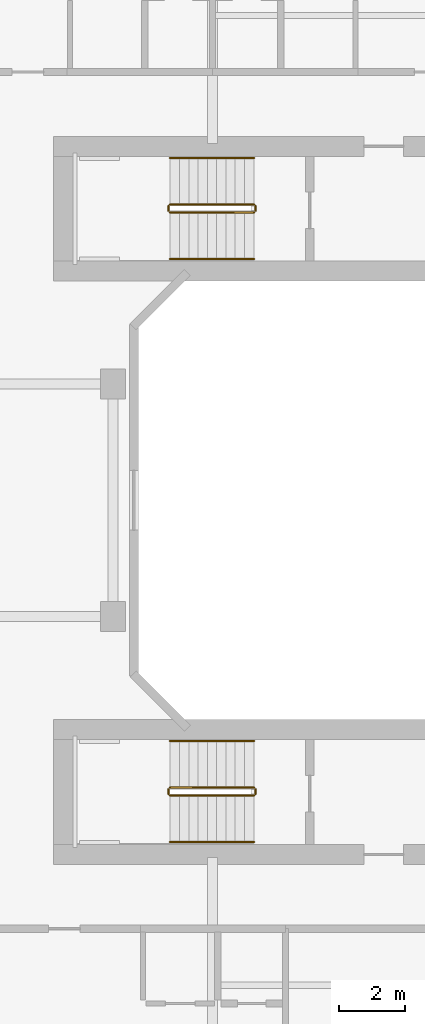
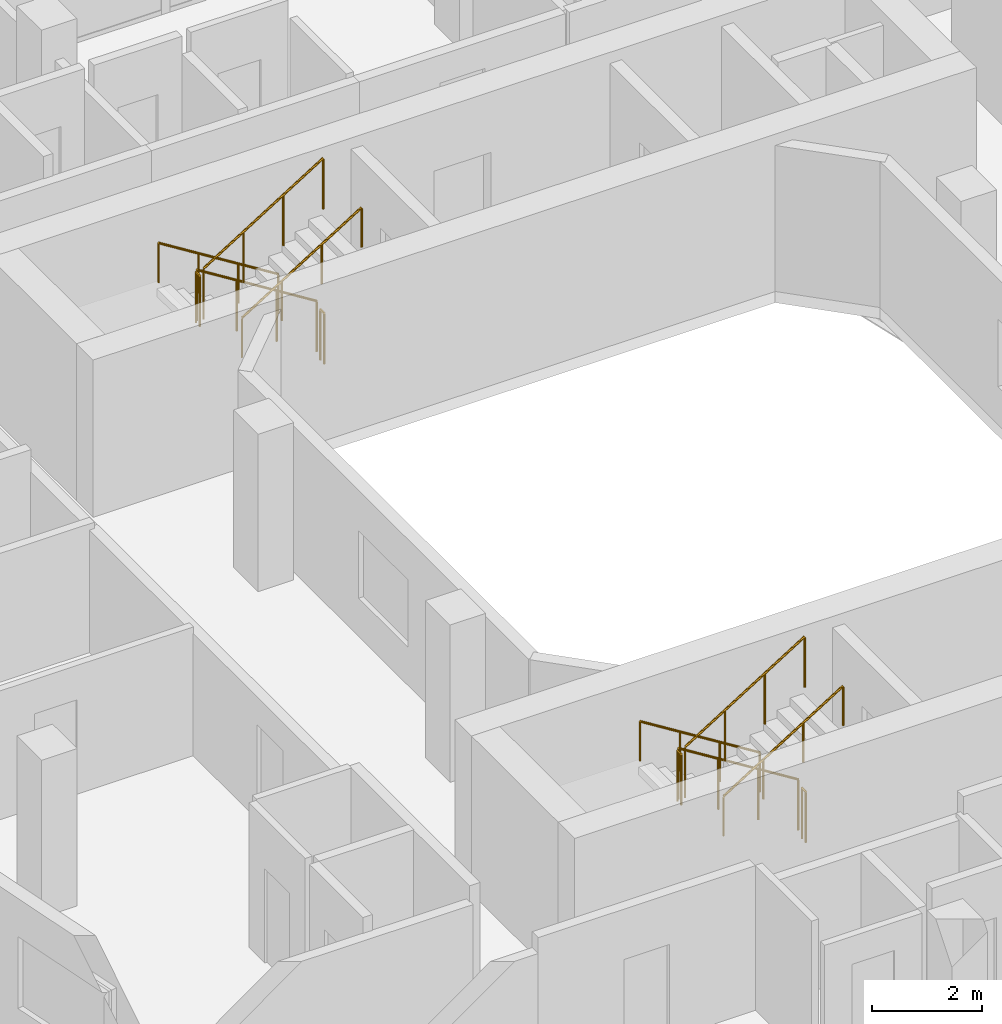
# One storey, part 27 of 27: 12 railings.
"""IFC4 building model written with IfcOpenShell, lengths in metres."""

from ifc_helpers import new_model, si_unit, derived_unit, direction, frame, origin, origin_2d, place, context, subcontext, project, spatial, circle, extrude, material, type_object, element, save


model = new_model("IFC4")

# Units and contexts
model_context = context("Model", 3, precision=1e-05, world=origin(), true_north=direction((0.0, 1.0)))
body_context = subcontext(model_context, "Body", "Model", "MODEL_VIEW")
ifc_project = project(units=[si_unit("LENGTHUNIT", "METRE"), si_unit("AREAUNIT", "SQUARE_METRE"), si_unit("VOLUMEUNIT", "CUBIC_METRE"), si_unit("PLANEANGLEUNIT", "RADIAN"), si_unit("MASSUNIT", "GRAM", prefix="KILO"), derived_unit("THERMALTRANSMITTANCEUNIT", [(si_unit("POWERUNIT", "WATT"), 1), (si_unit("LENGTHUNIT", "METRE"), -2), (si_unit("THERMODYNAMICTEMPERATUREUNIT", "KELVIN"), -1)])], contexts=[model_context])

# Site, building, storey
site_placement = place(None, origin())
site = spatial("IfcSite", under=ifc_project, at=site_placement, CompositionType="ELEMENT")
building_placement = place(site_placement, origin())
building = spatial("IfcBuilding", under=site, at=building_placement, Name="Kivonza Crest Hotel", CompositionType="ELEMENT")
storey_placement = place(building_placement, frame((0.0, 0.0, 31.0)))
storey = spatial("IfcBuildingStorey", under=building, at=storey_placement, Name="L07", CompositionType="ELEMENT", Elevation=31.0)

# Railings
ifc_material_1 = material(Name="Brushed stainless steel handrail", Category="steel")
railing_type_1 = type_object("IfcRailingType", Name="RL-HAND-900", PredefinedType="HANDRAIL", material=ifc_material_1)
railing_1_placement = place(storey_placement, frame((73.840087890625, 35.31005859375, 0.175048828125)))
element("IfcRailing", 1, at=railing_1_placement, inside=storey, type_object=railing_type_1, Name="L07 ST-T2-N stair handrail 1", PredefinedType="HANDRAIL", context=body_context, shape_type="SweptSolid", body=[
    extrude(circle(Radius=0.02392578125, at=origin_2d()), frame((0.0, 0.0, 0.8759765625), z_axis=(-0.848007534815, 0.0, 0.529984170421), x_axis=(0.0, -1.0, 0.0)), (0.0, 0.0, 1.0), 2.9716796875),
    extrude(circle(Radius=0.02099609375, at=origin_2d()), origin(), (0.0, 0.0, 1.0), 0.851806640625),
    extrude(circle(Radius=0.02099609375, at=origin_2d()), frame((-0.840087890625, 0.0, 0.52490234375)), (0.0, 0.0, 1.0), 0.851806640625),
    extrude(circle(Radius=0.02099609375, at=origin_2d()), frame((-1.679931640625, 0.0, 1.050048828125)), (0.0, 0.0, 1.0), 0.851806640625),
    extrude(circle(Radius=0.02099609375, at=origin_2d()), frame((-2.52001953125, 0.0, 1.574951171875)), (0.0, 0.0, 1.0), 0.851806640625),
])
railing_2_placement = place(storey_placement, frame((71.320068359375, 32.27001953125, 1.925048828125)))
element("IfcRailing", 2, at=railing_2_placement, inside=storey, type_object=railing_type_1, Name="L07 ST-T2-N stair handrail 2", PredefinedType="HANDRAIL", context=body_context, shape_type="SweptSolid", body=[
    extrude(circle(Radius=0.02392578125, at=origin_2d()), frame((0.0, 0.0, 0.8759765625), z_axis=(0.848007534815, 0.0, 0.529984170421), x_axis=(0.0, 1.0, 0.0)), (0.0, 0.0, 1.0), 2.9716796875),
    extrude(circle(Radius=0.02099609375, at=origin_2d()), origin(), (0.0, 0.0, 1.0), 0.851806640625),
    extrude(circle(Radius=0.02099609375, at=origin_2d()), frame((0.840087890625, 0.0, 0.52490234375)), (0.0, 0.0, 1.0), 0.851806640625),
    extrude(circle(Radius=0.02099609375, at=origin_2d()), frame((1.679931640625, 0.0, 1.050048828125)), (0.0, 0.0, 1.0), 0.851806640625),
    extrude(circle(Radius=0.02099609375, at=origin_2d()), frame((2.52001953125, 0.0, 1.574951171875)), (0.0, 0.0, 1.0), 0.851806640625),
])
railing_3_placement = place(storey_placement, frame((73.840087890625, 17.75, 0.175048828125)))
element("IfcRailing", 3, at=railing_3_placement, inside=storey, type_object=railing_type_1, Name="L07 ST-T2-S stair handrail 1", PredefinedType="HANDRAIL", context=body_context, shape_type="SweptSolid", body=[
    extrude(circle(Radius=0.02392578125, at=origin_2d()), frame((0.0, 0.0, 0.8759765625), z_axis=(-0.848007534815, 0.0, 0.529984170421), x_axis=(0.0, -1.0, 0.0)), (0.0, 0.0, 1.0), 2.9716796875),
    extrude(circle(Radius=0.02099609375, at=origin_2d()), origin(), (0.0, 0.0, 1.0), 0.851806640625),
    extrude(circle(Radius=0.02099609375, at=origin_2d()), frame((-0.840087890625, 0.0, 0.52490234375)), (0.0, 0.0, 1.0), 0.851806640625),
    extrude(circle(Radius=0.02099609375, at=origin_2d()), frame((-1.679931640625, 0.0, 1.050048828125)), (0.0, 0.0, 1.0), 0.851806640625),
    extrude(circle(Radius=0.02099609375, at=origin_2d()), frame((-2.52001953125, 0.0, 1.574951171875)), (0.0, 0.0, 1.0), 0.851806640625),
])
railing_4_placement = place(storey_placement, frame((71.320068359375, 14.7099609375, 1.925048828125)))
element("IfcRailing", 4, at=railing_4_placement, inside=storey, type_object=railing_type_1, Name="L07 ST-T2-S stair handrail 2", PredefinedType="HANDRAIL", context=body_context, shape_type="SweptSolid", body=[
    extrude(circle(Radius=0.02392578125, at=origin_2d()), frame((0.0, 0.0, 0.8759765625), z_axis=(0.848007534815, 0.0, 0.529984170421), x_axis=(0.0, 1.0, 0.0)), (0.0, 0.0, 1.0), 2.9716796875),
    extrude(circle(Radius=0.02099609375, at=origin_2d()), origin(), (0.0, 0.0, 1.0), 0.851806640625),
    extrude(circle(Radius=0.02099609375, at=origin_2d()), frame((0.840087890625, 0.0, 0.52490234375)), (0.0, 0.0, 1.0), 0.851806640625),
    extrude(circle(Radius=0.02099609375, at=origin_2d()), frame((1.679931640625, 0.0, 1.050048828125)), (0.0, 0.0, 1.0), 0.851806640625),
    extrude(circle(Radius=0.02099609375, at=origin_2d()), frame((2.52001953125, 0.0, 1.574951171875)), (0.0, 0.0, 1.0), 0.851806640625),
])
ifc_material_2 = material(Name="Painted steel balustrade", Category="steel")
railing_type_2 = type_object("IfcRailingType", Name="RL-STAIR-1150", PredefinedType="BALUSTRADE", material=ifc_material_2)
railing_5_placement = place(storey_placement, frame((73.840087890625, 33.909912109375, 0.175048828125)))
element("IfcRailing", 5, at=railing_5_placement, inside=storey, type_object=railing_type_2, Name="L07 ST-T2-N stair guard 1", PredefinedType="BALUSTRADE", context=body_context, shape_type="SweptSolid", body=[
    extrude(circle(Radius=0.02392578125, at=origin_2d()), frame((0.0, 0.0, 1.1259765625), z_axis=(-0.848007534815, 0.0, 0.529984170421), x_axis=(0.0, -1.0, 0.0)), (0.0, 0.0, 1.0), 2.9716796875),
    extrude(circle(Radius=0.02099609375, at=origin_2d()), origin(), (0.0, 0.0, 1.0), 1.101806640625),
    extrude(circle(Radius=0.02099609375, at=origin_2d()), frame((-0.840087890625, 0.0, 0.52490234375)), (0.0, 0.0, 1.0), 1.101806640625),
    extrude(circle(Radius=0.02099609375, at=origin_2d()), frame((-1.679931640625, 0.0, 1.050048828125)), (0.0, 0.0, 1.0), 1.101806640625),
    extrude(circle(Radius=0.02099609375, at=origin_2d()), frame((-2.52001953125, 0.0, 1.574951171875)), (0.0, 0.0, 1.0), 1.101806640625),
])
railing_6_placement = place(storey_placement, frame((71.27001953125, 33.860107421875, 1.75)))
element("IfcRailing", 6, at=railing_6_placement, inside=storey, type_object=railing_type_2, Name="L07 ST-T2-N stair guard 2", PredefinedType="BALUSTRADE", context=body_context, shape_type="SweptSolid", body=[
    extrude(circle(Radius=0.02392578125, at=origin_2d()), frame((0.0, 0.0, 1.1259765625), z_axis=(0.0, -1.0, 0.0), x_axis=(1.0, 0.0, 0.0)), (0.0, 0.0, 1.0), 0.14013671875),
    extrude(circle(Radius=0.02099609375, at=origin_2d()), origin(), (0.0, 0.0, 1.0), 1.101806640625),
    extrude(circle(Radius=0.02099609375, at=origin_2d()), frame((0.0, -0.14013671875, 0.0)), (0.0, 0.0, 1.0), 1.101806640625),
])
railing_7_placement = place(storey_placement, frame((71.320068359375, 33.669921875, 1.925048828125)))
element("IfcRailing", 7, at=railing_7_placement, inside=storey, type_object=railing_type_2, Name="L07 ST-T2-N stair guard 3", PredefinedType="BALUSTRADE", context=body_context, shape_type="SweptSolid", body=[
    extrude(circle(Radius=0.02392578125, at=origin_2d()), frame((0.0, 0.0, 1.1259765625), z_axis=(0.848007534815, 0.0, 0.529984170421), x_axis=(0.0, 1.0, 0.0)), (0.0, 0.0, 1.0), 2.9716796875),
    extrude(circle(Radius=0.02099609375, at=origin_2d()), origin(), (0.0, 0.0, 1.0), 1.101806640625),
    extrude(circle(Radius=0.02099609375, at=origin_2d()), frame((0.840087890625, 0.0, 0.52490234375)), (0.0, 0.0, 1.0), 1.101806640625),
    extrude(circle(Radius=0.02099609375, at=origin_2d()), frame((1.679931640625, 0.0, 1.050048828125)), (0.0, 0.0, 1.0), 1.101806640625),
    extrude(circle(Radius=0.02099609375, at=origin_2d()), frame((2.52001953125, 0.0, 1.574951171875)), (0.0, 0.0, 1.0), 1.101806640625),
])
railing_8_placement = place(storey_placement, frame((73.889892578125, 33.860107421875, 0.0)))
element("IfcRailing", 8, at=railing_8_placement, inside=storey, type_object=railing_type_2, Name="L07 ST-T2-N stair guard 4", PredefinedType="BALUSTRADE", context=body_context, shape_type="SweptSolid", body=[
    extrude(circle(Radius=0.02392578125, at=origin_2d()), frame((0.0, 0.0, 1.1259765625), z_axis=(0.0, -1.0, 0.0), x_axis=(1.0, 0.0, 0.0)), (0.0, 0.0, 1.0), 0.14013671875),
    extrude(circle(Radius=0.02099609375, at=origin_2d()), origin(), (0.0, 0.0, 1.0), 1.101806640625),
    extrude(circle(Radius=0.02099609375, at=origin_2d()), frame((0.0, -0.14013671875, 0.0)), (0.0, 0.0, 1.0), 1.101806640625),
])
railing_9_placement = place(storey_placement, frame((73.840087890625, 16.35009765625, 0.175048828125)))
element("IfcRailing", 9, at=railing_9_placement, inside=storey, type_object=railing_type_2, Name="L07 ST-T2-S stair guard 1", PredefinedType="BALUSTRADE", context=body_context, shape_type="SweptSolid", body=[
    extrude(circle(Radius=0.02392578125, at=origin_2d()), frame((0.0, 0.0, 1.1259765625), z_axis=(-0.848007534815, 0.0, 0.529984170421), x_axis=(0.0, -1.0, 0.0)), (0.0, 0.0, 1.0), 2.9716796875),
    extrude(circle(Radius=0.02099609375, at=origin_2d()), origin(), (0.0, 0.0, 1.0), 1.101806640625),
    extrude(circle(Radius=0.02099609375, at=origin_2d()), frame((-0.840087890625, 0.0, 0.52490234375)), (0.0, 0.0, 1.0), 1.101806640625),
    extrude(circle(Radius=0.02099609375, at=origin_2d()), frame((-1.679931640625, 0.0, 1.050048828125)), (0.0, 0.0, 1.0), 1.101806640625),
    extrude(circle(Radius=0.02099609375, at=origin_2d()), frame((-2.52001953125, 0.0, 1.574951171875)), (0.0, 0.0, 1.0), 1.101806640625),
])
railing_10_placement = place(storey_placement, frame((71.27001953125, 16.300048828125, 1.75)))
element("IfcRailing", 10, at=railing_10_placement, inside=storey, type_object=railing_type_2, Name="L07 ST-T2-S stair guard 2", PredefinedType="BALUSTRADE", context=body_context, shape_type="SweptSolid", body=[
    extrude(circle(Radius=0.02392578125, at=origin_2d()), frame((0.0, 0.0, 1.1259765625), z_axis=(0.0, -1.0, 0.0), x_axis=(1.0, 0.0, 0.0)), (0.0, 0.0, 1.0), 0.14013671875),
    extrude(circle(Radius=0.02099609375, at=origin_2d()), origin(), (0.0, 0.0, 1.0), 1.101806640625),
    extrude(circle(Radius=0.02099609375, at=origin_2d()), frame((0.0, -0.14013671875, 0.0)), (0.0, 0.0, 1.0), 1.101806640625),
])
railing_11_placement = place(storey_placement, frame((71.320068359375, 16.110107421875, 1.925048828125)))
element("IfcRailing", 11, at=railing_11_placement, inside=storey, type_object=railing_type_2, Name="L07 ST-T2-S stair guard 3", PredefinedType="BALUSTRADE", context=body_context, shape_type="SweptSolid", body=[
    extrude(circle(Radius=0.02392578125, at=origin_2d()), frame((0.0, 0.0, 1.1259765625), z_axis=(0.848007534815, 0.0, 0.529984170421), x_axis=(0.0, 1.0, 0.0)), (0.0, 0.0, 1.0), 2.9716796875),
    extrude(circle(Radius=0.02099609375, at=origin_2d()), origin(), (0.0, 0.0, 1.0), 1.101806640625),
    extrude(circle(Radius=0.02099609375, at=origin_2d()), frame((0.840087890625, 0.0, 0.52490234375)), (0.0, 0.0, 1.0), 1.101806640625),
    extrude(circle(Radius=0.02099609375, at=origin_2d()), frame((1.679931640625, 0.0, 1.050048828125)), (0.0, 0.0, 1.0), 1.101806640625),
    extrude(circle(Radius=0.02099609375, at=origin_2d()), frame((2.52001953125, 0.0, 1.574951171875)), (0.0, 0.0, 1.0), 1.101806640625),
])
railing_12_placement = place(storey_placement, frame((73.889892578125, 16.300048828125, 0.0)))
element("IfcRailing", 12, at=railing_12_placement, inside=storey, type_object=railing_type_2, Name="L07 ST-T2-S stair guard 4", PredefinedType="BALUSTRADE", context=body_context, shape_type="SweptSolid", body=[
    extrude(circle(Radius=0.02392578125, at=origin_2d()), frame((0.0, 0.0, 1.1259765625), z_axis=(0.0, -1.0, 0.0), x_axis=(1.0, 0.0, 0.0)), (0.0, 0.0, 1.0), 0.14013671875),
    extrude(circle(Radius=0.02099609375, at=origin_2d()), origin(), (0.0, 0.0, 1.0), 1.101806640625),
    extrude(circle(Radius=0.02099609375, at=origin_2d()), frame((0.0, -0.14013671875, 0.0)), (0.0, 0.0, 1.0), 1.101806640625),
])

save(model, "model.ifc")
